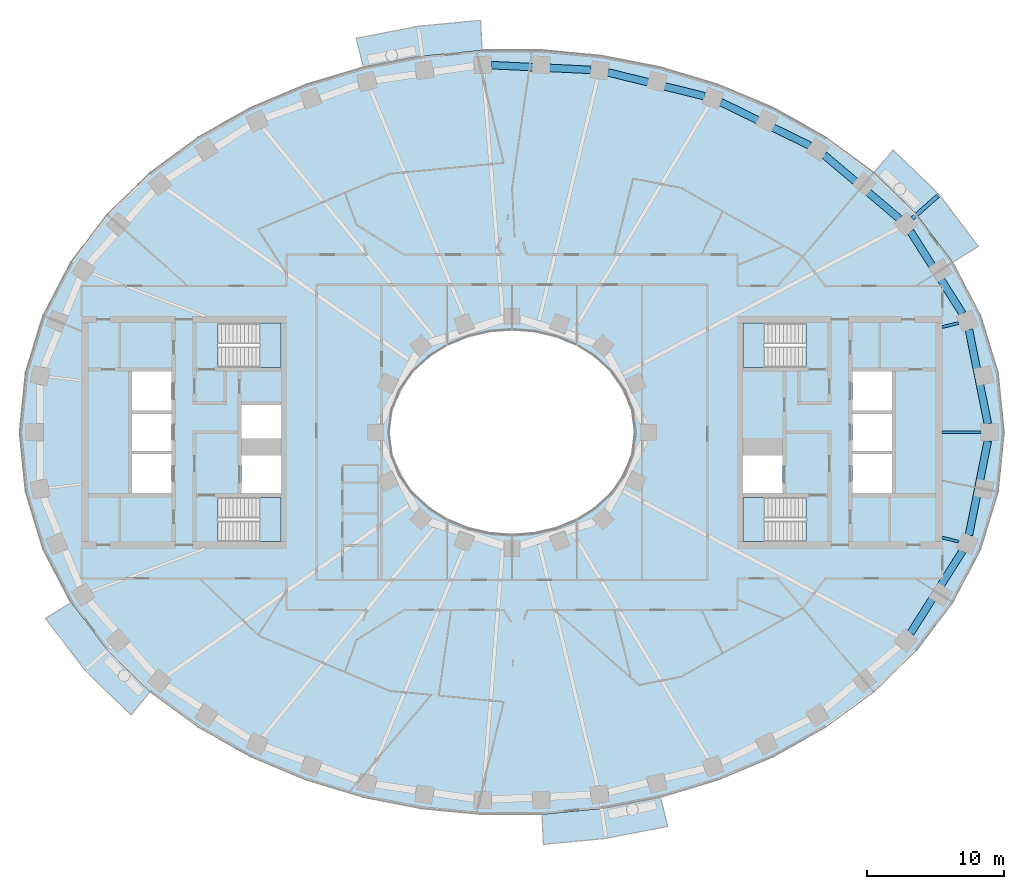
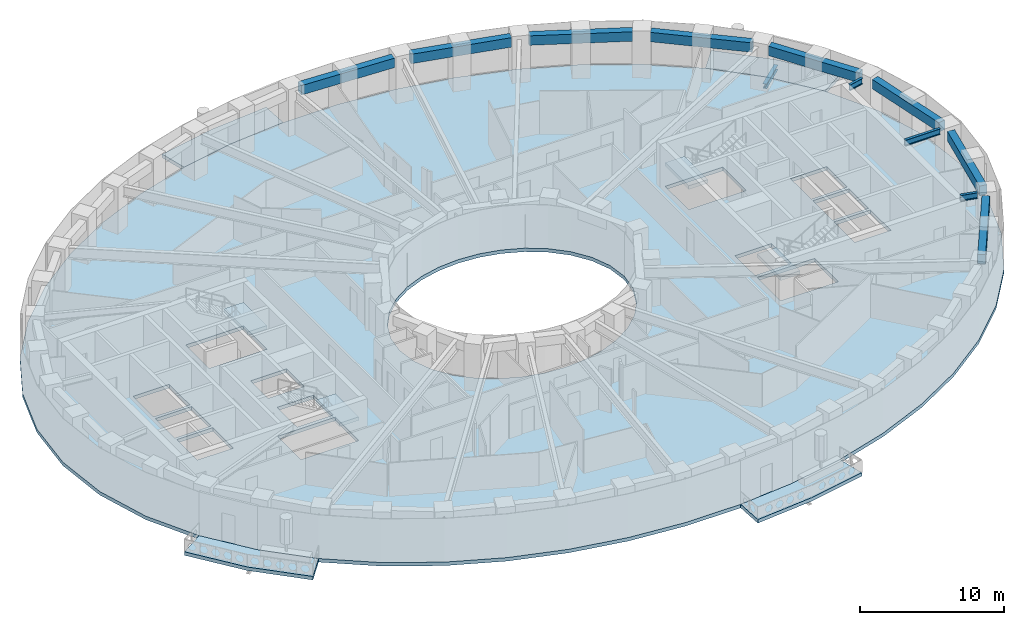
# One storey, part 2 of 16: 12 beams, 9 slabs, 4 elements without a shape of their own.
"""IFC4 building model written with IfcOpenShell, lengths in metres."""

from ifc_helpers import new_model, si_unit, direction, frame, origin, origin_2d, place, context, subcontext, project, spatial, polyline, rectangle, i_section, outline, extrude, material, layer, layer_set, material_profile, profile_set, type_object, element, aggregate, save


model = new_model("IFC4")

# Units and contexts
model_context = context("Model", 3, precision=1e-05, world=origin(), true_north=direction((0.0, 1.0)))
body_context = subcontext(model_context, "Body", "Model", "MODEL_VIEW")
ifc_project = project(units=[si_unit("LENGTHUNIT", "METRE"), si_unit("AREAUNIT", "SQUARE_METRE"), si_unit("VOLUMEUNIT", "CUBIC_METRE"), si_unit("PLANEANGLEUNIT", "RADIAN"), si_unit("MASSUNIT", "GRAM", prefix="KILO")], contexts=[model_context])

# Site, building, storey
site_placement = place(None, origin())
site = spatial("IfcSite", under=ifc_project, at=site_placement, CompositionType="ELEMENT")
building_placement = place(site_placement, origin())
building = spatial("IfcBuilding", under=site, at=building_placement, Name="Noorbagh Ring Tower", CompositionType="ELEMENT")
storey_placement = place(building_placement, frame((0.0, 0.0, 96.0)))
storey = spatial("IfcBuildingStorey", under=building, at=storey_placement, Name="L21", CompositionType="ELEMENT", Elevation=96.0)

# Beams
ifc_material_1 = material(Name="Steel S355", Category="steel")
ifc_material_profile_1 = material_profile(ifc_material_1, i_section(OverallWidth=0.300048828125, OverallDepth=0.39990234375, WebThickness=0.013427734375, FlangeThickness=0.02392578125, FilletRadius=0.027099609375, at=origin_2d()), Name="HEB400")
ifc_profile_set_1 = profile_set([ifc_material_profile_1], Name="Steel S355")
beam_type_1 = type_object("IfcBeamType", Name="STR-BALCONY-BRACKET-HEB400", PredefinedType="BEAM", material=ifc_profile_set_1)
beam_1_placement = place(storey_placement, frame((29.290771484375, 15.64794921875, -0.5), z_axis=(0.749058582827, 0.662503765645, 0.0), x_axis=(-0.662503765645, 0.749058582827, 0.0)))
element("IfcBeam", 1, at=beam_1_placement, inside=storey, type_object=beam_type_1, Name="Balcony bracket beam BN01", PredefinedType="BEAM", context=body_context, shape_type="SweptSolid", body=[
    extrude(i_section(OverallWidth=0.300048828125, OverallDepth=0.39990234375, WebThickness=0.013427734375, FlangeThickness=0.02392578125, FilletRadius=0.027099609375, at=origin_2d()), origin(), (0.0, 0.0, 1.0), 2.479248046875),
])
ifc_material_2 = material(Name="Steel S355", Category="steel")
ifc_material_profile_2 = material_profile(ifc_material_2, i_section(OverallWidth=0.199951171875, OverallDepth=0.5, WebThickness=0.01025390625, FlangeThickness=0.01611328125, FilletRadius=0.02099609375, at=origin_2d()), Name="IPE500")
ifc_profile_set_2 = profile_set([ifc_material_profile_2], Name="Steel S355")
beam_type_2 = type_object("IfcBeamType", Name="STR-RAD-IPE500", PredefinedType="BEAM", material=ifc_profile_set_2)
beam_2_placement = place(storey_placement, frame((34.314697265625, 0.0, 3.449951171875), z_axis=(-1.0, 0.0, 0.0), x_axis=(0.0, -1.0, 0.0)))
element("IfcBeam", 2, at=beam_2_placement, inside=storey, type_object=beam_type_2, Name="L21/bm/RD01", PredefinedType="BEAM", context=body_context, shape_type="SweptSolid", body=[
    extrude(i_section(OverallWidth=0.199951171875, OverallDepth=0.5, WebThickness=0.01025390625, FlangeThickness=0.01611328125, FilletRadius=0.02099609375, at=origin_2d()), origin(), (0.0, 0.0, 1.0), 2.834716796875),
])
for number, where, z_axis, x_axis, name in (
    (3, (32.686279296875, 7.997802734375, 3.449951171875), (-0.971367746696, -0.237580935009, 0.0), (0.237580935009, -0.971367746696, 0.0), "L21/bm/RD03"),
    (4, (32.686279296875, -7.997802734375, 3.449951171875), (-0.971367746696, 0.237580935009, 0.0), (-0.237580935009, -0.971367746696, 0.0), "L21/bm/RD45"),
):
    element("IfcBeam", number, at=place(storey_placement, frame(where, z_axis=z_axis, x_axis=x_axis)), inside=storey, type_object=beam_type_2, Name=name, PredefinedType="BEAM", context=body_context, shape_type="SweptSolid", body=[
        extrude(i_section(OverallWidth=0.199951171875, OverallDepth=0.5, WebThickness=0.01025390625, FlangeThickness=0.01611328125, FilletRadius=0.02099609375, at=origin_2d()), origin(), (0.0, 0.0, 1.0), 1.241455078125),
    ])
ifc_material_3 = material(Name="Concrete C40/50", Category="concrete")
ifc_material_profile_3 = material_profile(ifc_material_3, rectangle(XDim=0.550048828125, YDim=0.800048828125, at=origin_2d()), Name="RC550x800")
ifc_profile_set_3 = profile_set([ifc_material_profile_3], Name="Concrete C40/50")
beam_type_3 = type_object("IfcBeamType", Name="STR-SB-RC550x800-C40-50", PredefinedType="BEAM", material=ifc_profile_set_3)
beam_3_placement = place(storey_placement, frame((34.81787109375, 0.63037109375, 3.300048828125), z_axis=(-0.197218334535, 0.980359591437, 0.0), x_axis=(-0.980359591437, -0.197218334535, 0.0)))
element("IfcBeam", 5, at=beam_3_placement, inside=storey, type_object=beam_type_3, Name="L21/bm/SP01", PredefinedType="BEAM", context=body_context, shape_type="SweptSolid", body=[
    extrude(rectangle(XDim=0.550048828125, YDim=0.800048828125, at=origin_2d()), origin(), (0.0, 0.0, 1.0), 7.027587890625),
])
beam_4_placement = place(storey_placement, frame((32.962646484375, 8.690185546875, 3.300048828125), z_axis=(-0.535215588854, 0.844715498525, 0.0), x_axis=(-0.844715498525, -0.535215588854, 0.0)))
element("IfcBeam", 6, at=beam_4_placement, inside=storey, type_object=beam_type_3, Name="L21/bm/SP03", PredefinedType="BEAM", context=body_context, shape_type="SweptSolid", body=[
    extrude(rectangle(XDim=0.550048828125, YDim=0.800048828125, at=origin_2d()), origin(), (0.0, 0.0, 1.0), 7.104248046875),
])
beam_5_placement = place(storey_placement, frame((28.3330078125, 15.64208984375, 3.300048828125), z_axis=(-0.76303325952, 0.646359222775, 0.0), x_axis=(-0.646359222775, -0.76303325952, 0.0)))
element("IfcBeam", 7, at=beam_5_placement, inside=storey, type_object=beam_type_3, Name="L21/bm/SP05", PredefinedType="BEAM", context=body_context, shape_type="SweptSolid", body=[
    extrude(rectangle(XDim=0.550048828125, YDim=0.800048828125, at=origin_2d()), origin(), (0.0, 0.0, 1.0), 7.18994140625),
])
beam_6_placement = place(storey_placement, frame((21.7919921875, 20.978759765625, 3.300048828125), z_axis=(-0.898412117145, 0.43915335336, 0.0), x_axis=(-0.43915335336, -0.898412117145, 0.0)))
element("IfcBeam", 8, at=beam_6_placement, inside=storey, type_object=beam_type_3, Name="L21/bm/SP07", PredefinedType="BEAM", context=body_context, shape_type="SweptSolid", body=[
    extrude(rectangle(XDim=0.550048828125, YDim=0.800048828125, at=origin_2d()), origin(), (0.0, 0.0, 1.0), 7.249267578125),
])
beam_7_placement = place(storey_placement, frame((14.094482421875, 24.5927734375, 3.300048828125), z_axis=(-0.970826778955, 0.239781911877, 0.0), x_axis=(-0.239781911877, -0.970826778955, 0.0)))
element("IfcBeam", 9, at=beam_7_placement, inside=storey, type_object=beam_type_3, Name="L21/bm/SP09", PredefinedType="BEAM", context=body_context, shape_type="SweptSolid", body=[
    extrude(rectangle(XDim=0.550048828125, YDim=0.800048828125, at=origin_2d()), origin(), (0.0, 0.0, 1.0), 7.282958984375),
])
beam_8_placement = place(storey_placement, frame((5.77685546875, 26.52099609375, 3.300048828125), z_axis=(-0.998868894653, 0.047549251258, 0.0), x_axis=(-0.047549251258, -0.998868894653, 0.0)))
element("IfcBeam", 10, at=beam_8_placement, inside=storey, type_object=beam_type_3, Name="L21/bm/SP11", PredefinedType="BEAM", context=body_context, shape_type="SweptSolid", body=[
    extrude(rectangle(XDim=0.550048828125, YDim=0.800048828125, at=origin_2d()), origin(), (0.0, 0.0, 1.0), 7.296142578125),
])
beam_9_placement = place(storey_placement, frame((29.160400390625, -14.691162109375, 3.300048828125), z_axis=(0.535215588854, 0.844715498525, 0.0), x_axis=(-0.844715498525, 0.535215588854, 0.0)))
element("IfcBeam", 11, at=beam_9_placement, inside=storey, type_object=beam_type_3, Name="L21/bm/SP43", PredefinedType="BEAM", context=body_context, shape_type="SweptSolid", body=[
    extrude(rectangle(XDim=0.550048828125, YDim=0.800048828125, at=origin_2d()), origin(), (0.0, 0.0, 1.0), 7.104248046875),
])
beam_10_placement = place(storey_placement, frame((33.431884765625, -7.52001953125, 3.300048828125), z_axis=(0.197218334535, 0.980359591437, 0.0), x_axis=(-0.980359591437, 0.197218334535, 0.0)))
element("IfcBeam", 12, at=beam_10_placement, inside=storey, type_object=beam_type_3, Name="L21/bm/SP45", PredefinedType="BEAM", context=body_context, shape_type="SweptSolid", body=[
    extrude(rectangle(XDim=0.550048828125, YDim=0.800048828125, at=origin_2d()), origin(), (0.0, 0.0, 1.0), 7.027587890625),
])

# Stair, slab
ifc_material_4 = material(Name="Concrete C40/50", Category="concrete")
stair_type = type_object("IfcStairType", Name="CORE-STAIR", PredefinedType="HALF_TURN_STAIR", material=ifc_material_4)
stair_1_placement = place(storey_placement, origin())
stair_1 = element("IfcStair", 13, at=stair_1_placement, inside=storey, type_object=stair_type, Name="L21 Exit stair ST1", PredefinedType="HALF_TURN_STAIR")
ifc_material_5 = material(Name="Concrete C40/50", Category="concrete")
ifc_layer_1 = layer(ifc_material_5, 0.300048828125)
ifc_layer_set_1 = layer_set([ifc_layer_1], Name="Concrete C40/50")
slab_type_1 = type_object("IfcSlabType", Name="CORE-STAIR-LANDING", PredefinedType="LANDING", material=ifc_layer_set_1)
slab_1_placement = place(storey_placement, frame((0.0, 0.0, 1.699951171875)))
slab_1 = element("IfcSlab", 14, at=slab_1_placement, type_object=slab_type_1, Name="ST1 landing 1", PredefinedType="LANDING", context=body_context, shape_type="SweptSolid", body=[
    extrude(outline(polyline([(-18.449951171875, 4.75), (-16.89990234375, 4.75), (-16.89990234375, 8.0), (-18.449951171875, 8.0), (-18.449951171875, 4.75)])), origin(), (0.0, 0.0, 1.0), 0.300048828125),
])
aggregate(stair_1, [slab_1])

stair_2_placement = place(storey_placement, origin())
stair_2 = element("IfcStair", 15, at=stair_2_placement, inside=storey, type_object=stair_type, Name="L21 Exit stair ST2", PredefinedType="HALF_TURN_STAIR")
slab_2_placement = place(storey_placement, frame((0.0, 0.0, 1.699951171875)))
slab_2 = element("IfcSlab", 16, at=slab_2_placement, type_object=slab_type_1, Name="ST2 landing 1", PredefinedType="LANDING", context=body_context, shape_type="SweptSolid", body=[
    extrude(outline(polyline([(-18.449951171875, -8.0), (-16.89990234375, -8.0), (-16.89990234375, -4.75), (-18.449951171875, -4.75), (-18.449951171875, -8.0)])), origin(), (0.0, 0.0, 1.0), 0.300048828125),
])
aggregate(stair_2, [slab_2])

stair_3_placement = place(storey_placement, origin())
stair_3 = element("IfcStair", 17, at=stair_3_placement, inside=storey, type_object=stair_type, Name="L21 Exit stair ST3", PredefinedType="HALF_TURN_STAIR")
slab_3_placement = place(storey_placement, frame((0.0, 0.0, 1.699951171875)))
slab_3 = element("IfcSlab", 18, at=slab_3_placement, type_object=slab_type_1, Name="ST3 landing 1", PredefinedType="LANDING", context=body_context, shape_type="SweptSolid", body=[
    extrude(outline(polyline([(18.449951171875, 8.0), (16.89990234375, 8.0), (16.89990234375, 4.75), (18.449951171875, 4.75), (18.449951171875, 8.0)])), origin(), (0.0, 0.0, 1.0), 0.300048828125),
])
aggregate(stair_3, [slab_3])

stair_4_placement = place(storey_placement, origin())
stair_4 = element("IfcStair", 19, at=stair_4_placement, inside=storey, type_object=stair_type, Name="L21 Exit stair ST4", PredefinedType="HALF_TURN_STAIR")
slab_4_placement = place(storey_placement, frame((0.0, 0.0, 1.699951171875)))
slab_4 = element("IfcSlab", 20, at=slab_4_placement, type_object=slab_type_1, Name="ST4 landing 1", PredefinedType="LANDING", context=body_context, shape_type="SweptSolid", body=[
    extrude(outline(polyline([(18.449951171875, -4.75), (16.89990234375, -4.75), (16.89990234375, -8.0), (18.449951171875, -8.0), (18.449951171875, -4.75)])), origin(), (0.0, 0.0, 1.0), 0.300048828125),
])
aggregate(stair_4, [slab_4])

# Slabs
ifc_material_6 = material(Name="Concrete C40/50", Category="concrete")
ifc_layer_2 = layer(ifc_material_6, 0.300048828125)
ifc_layer_set_2 = layer_set([ifc_layer_2], Name="Concrete C40/50")
slab_type_2 = type_object("IfcSlabType", Name="ENV-BALCONY DECK 300", PredefinedType="FLOOR", material=ifc_layer_set_2)
slab_5_placement = place(storey_placement, frame((0.0, 0.0, -0.300048828125)))
element("IfcSlab", 21, at=slab_5_placement, inside=storey, type_object=slab_type_2, Name="Tree balcony deck BN01", PredefinedType="FLOOR", context=body_context, shape_type="SweptSolid", body=[
    extrude(outline(polyline([(34.120361328125, 13.615966796875), (31.26025390625, 17.389892578125), (27.888671875, 20.665771484375), (26.463134765625, 18.983154296875), (29.607666015625, 15.92822265625), (32.255126953125, 12.434814453125), (34.120361328125, 13.615966796875)])), origin(), (0.0, 0.0, 1.0), 0.300048828125),
])
slab_6_placement = place(storey_placement, frame((0.0, 0.0, -0.300048828125)))
element("IfcSlab", 22, at=slab_6_placement, inside=storey, type_object=slab_type_2, Name="Tree balcony deck BN04", PredefinedType="FLOOR", context=body_context, shape_type="SweptSolid", body=[
    extrude(outline(polyline([(-2.2978515625, 30.14794921875), (-6.874755859375, 29.711181640625), (-11.3935546875, 28.832763671875), (-10.865234375, 26.6943359375), (-6.5595703125, 27.53125), (-2.193115234375, 27.947998046875), (-2.2978515625, 30.14794921875)])), origin(), (0.0, 0.0, 1.0), 0.300048828125),
])
slab_7_placement = place(storey_placement, frame((0.0, 0.0, -0.300048828125)))
element("IfcSlab", 23, at=slab_7_placement, inside=storey, type_object=slab_type_2, Name="Tree balcony deck BS01", PredefinedType="FLOOR", context=body_context, shape_type="SweptSolid", body=[
    extrude(outline(polyline([(-34.120361328125, -13.615966796875), (-31.26025390625, -17.389892578125), (-27.888671875, -20.665771484375), (-26.463134765625, -18.983154296875), (-29.607666015625, -15.92822265625), (-32.255126953125, -12.434814453125), (-34.120361328125, -13.615966796875)])), origin(), (0.0, 0.0, 1.0), 0.300048828125),
])
slab_8_placement = place(storey_placement, frame((0.0, 0.0, -0.300048828125)))
element("IfcSlab", 24, at=slab_8_placement, inside=storey, type_object=slab_type_2, Name="Tree balcony deck BS04", PredefinedType="FLOOR", context=body_context, shape_type="SweptSolid", body=[
    extrude(outline(polyline([(2.2978515625, -30.14794921875), (6.874755859375, -29.711181640625), (11.3935546875, -28.832763671875), (10.865234375, -26.6943359375), (6.5595703125, -27.53125), (2.193115234375, -27.947998046875), (2.2978515625, -30.14794921875)])), origin(), (0.0, 0.0, 1.0), 0.300048828125),
])
ifc_material_7 = material(Name="Concrete C40/50", Category="concrete")
ifc_layer_3 = layer(ifc_material_7, 0.300048828125)
ifc_layer_set_3 = layer_set([ifc_layer_3], Name="Concrete C40/50")
slab_type_3 = type_object("IfcSlabType", Name="STR-FLOOR-DECK-300", PredefinedType="FLOOR", material=ifc_layer_set_3)
slab_9_placement = place(storey_placement, frame((0.0, 0.0, -0.300048828125)))
element("IfcSlab", 25, at=slab_9_placement, inside=storey, type_object=slab_type_3, Name="L21/slab/1", PredefinedType="FLOOR", context=body_context, shape_type="SweptSolid", body=[
    extrude(outline(polyline([(36.0, 0.0), (35.56103515625, 4.358642578125), (34.281005859375, 8.548828125), (32.255126953125, 12.434814453125), (29.607666015625, 15.92822265625), (26.463134765625, 18.983154296875), (22.9326171875, 21.583740234375), (19.108154296875, 23.730224609375), (15.0654296875, 25.430419921875), (10.865234375, 26.6943359375), (6.5595703125, 27.53125), (2.193115234375, 27.947998046875), (-2.193115234375, 27.947998046875), (-6.5595703125, 27.53125), (-10.865234375, 26.6943359375), (-15.0654296875, 25.430419921875), (-19.108154296875, 23.730224609375), (-22.9326171875, 21.583740234375), (-26.463134765625, 18.983154296875), (-29.607666015625, 15.92822265625), (-32.255126953125, 12.434814453125), (-34.281005859375, 8.548828125), (-35.56103515625, 4.358642578125), (-36.0, 0.0), (-35.56103515625, -4.358642578125), (-34.281005859375, -8.548828125), (-32.255126953125, -12.434814453125), (-29.607666015625, -15.92822265625), (-26.463134765625, -18.983154296875), (-22.9326171875, -21.583740234375), (-19.108154296875, -23.730224609375), (-15.0654296875, -25.430419921875), (-10.865234375, -26.6943359375), (-6.5595703125, -27.53125), (-2.193115234375, -27.947998046875), (2.193115234375, -27.947998046875), (6.5595703125, -27.53125), (10.865234375, -26.6943359375), (15.0654296875, -25.430419921875), (19.108154296875, -23.730224609375), (22.9326171875, -21.583740234375), (26.463134765625, -18.983154296875), (29.607666015625, -15.92822265625), (32.255126953125, -12.434814453125), (34.281005859375, -8.548828125), (35.56103515625, -4.358642578125), (36.0, 0.0)]), holes=[polyline([(24.89990234375, -1.60009765625), (27.800048828125, -1.60009765625), (27.800048828125, -4.449951171875), (24.89990234375, -4.449951171875), (24.89990234375, -1.60009765625)]), polyline([(24.89990234375, 1.35009765625), (27.800048828125, 1.35009765625), (27.800048828125, -1.35009765625), (24.89990234375, -1.35009765625), (24.89990234375, 1.35009765625)]), polyline([(24.89990234375, 4.449951171875), (27.800048828125, 4.449951171875), (27.800048828125, 1.60009765625), (24.89990234375, 1.60009765625), (24.89990234375, 4.449951171875)]), polyline([(21.529541015625, -4.75), (21.529541015625, -8.0), (16.89990234375, -8.0), (16.89990234375, -4.75), (21.529541015625, -4.75)]), polyline([(21.529541015625, 4.75), (16.89990234375, 4.75), (16.89990234375, 8.0), (21.529541015625, 8.0), (21.529541015625, 4.75)]), polyline([(16.89990234375, -1.699951171875), (19.800048828125, -1.699951171875), (19.800048828125, -4.449951171875), (16.89990234375, -4.449951171875), (16.89990234375, -1.699951171875)]), polyline([(4.697509765625, -6.3974609375), (3.196533203125, -7.010986328125), (1.6171875, -7.3779296875), (0.0, -7.5), (-1.6171875, -7.3779296875), (-3.196533203125, -7.010986328125), (-4.697509765625, -6.3974609375), (-6.071044921875, -5.53662109375), (-7.2587890625, -4.43408203125), (-8.1904296875, -3.10888671875), (-8.79150390625, -1.605224609375), (-9.0, 0.0), (-8.79150390625, 1.605224609375), (-8.1904296875, 3.10888671875), (-7.2587890625, 4.43408203125), (-6.071044921875, 5.53662109375), (-4.697509765625, 6.3974609375), (-3.196533203125, 7.010986328125), (-1.6171875, 7.3779296875), (0.0, 7.5), (1.6171875, 7.3779296875), (3.196533203125, 7.010986328125), (4.697509765625, 6.3974609375), (6.071044921875, 5.53662109375), (7.2587890625, 4.43408203125), (8.1904296875, 3.10888671875), (8.79150390625, 1.605224609375), (9.0, 0.0), (8.79150390625, -1.605224609375), (8.1904296875, -3.10888671875), (7.2587890625, -4.43408203125), (6.071044921875, -5.53662109375), (4.697509765625, -6.3974609375)]), polyline([(-21.529541015625, -8.0), (-21.529541015625, -4.75), (-16.89990234375, -4.75), (-16.89990234375, -8.0), (-21.529541015625, -8.0)]), polyline([(-21.529541015625, 8.0), (-16.89990234375, 8.0), (-16.89990234375, 4.75), (-21.529541015625, 4.75), (-21.529541015625, 8.0)]), polyline([(-16.89990234375, -4.449951171875), (-19.800048828125, -4.449951171875), (-19.800048828125, -1.699951171875), (-16.89990234375, -1.699951171875), (-16.89990234375, -4.449951171875)]), polyline([(-16.89990234375, -0.449951171875), (-19.800048828125, -0.449951171875), (-19.800048828125, 2.0), (-16.89990234375, 2.0), (-16.89990234375, -0.449951171875)]), polyline([(-24.89990234375, -4.449951171875), (-27.800048828125, -4.449951171875), (-27.800048828125, -1.60009765625), (-24.89990234375, -1.60009765625), (-24.89990234375, -4.449951171875)]), polyline([(-24.89990234375, -1.35009765625), (-27.800048828125, -1.35009765625), (-27.800048828125, 1.35009765625), (-24.89990234375, 1.35009765625), (-24.89990234375, -1.35009765625)]), polyline([(-24.89990234375, 1.60009765625), (-27.800048828125, 1.60009765625), (-27.800048828125, 4.449951171875), (-24.89990234375, 4.449951171875), (-24.89990234375, 1.60009765625)])]), origin(), (0.0, 0.0, 1.0), 0.300048828125),
])

save(model, "model.ifc")
